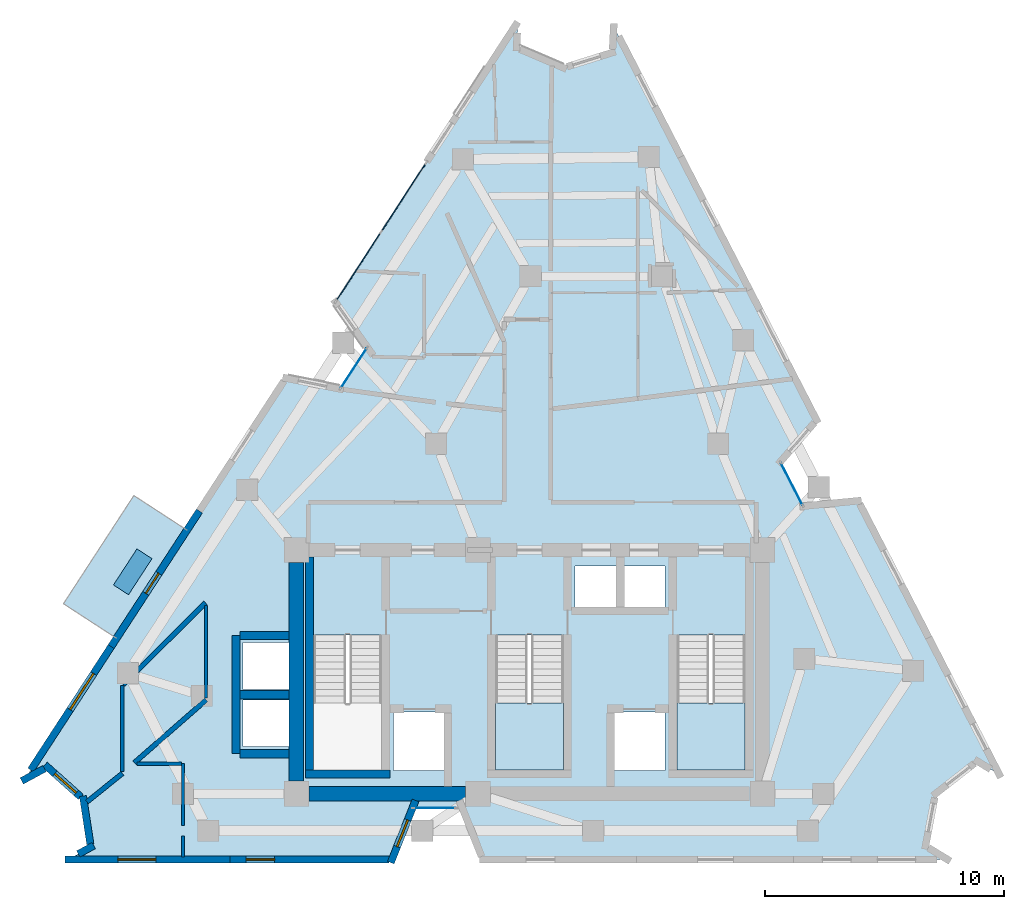
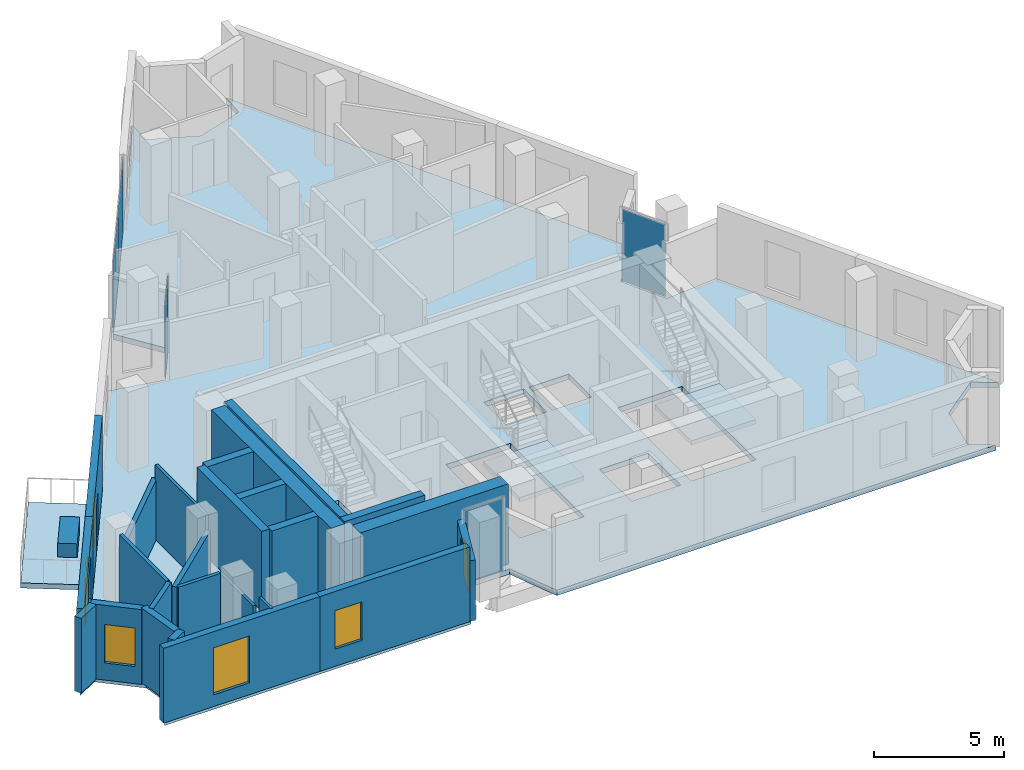
# One storey, part 5 of 11: 25 walls, 6 plates, 5 windows, 4 slabs, 1 door, 6 openings, 6 elements without a shape of their own.
"""IFC4 building model written with IfcOpenShell, lengths in metres."""

from ifc_helpers import new_model, si_unit, direction, frame, frame_2d, origin, origin_2d, place, context, subcontext, project, spatial, polyline, rectangle, outline, extrude, material, layer, layer_set, type_object, element, fill, aggregate, save


model = new_model("IFC4")

# Units and contexts
model_context = context("Model", 3, precision=1e-05, world=origin(), true_north=direction((0.0, 1.0)))
body_context = subcontext(model_context, "Body", "Model", "MODEL_VIEW")
ifc_project = project(units=[si_unit("LENGTHUNIT", "METRE"), si_unit("AREAUNIT", "SQUARE_METRE"), si_unit("VOLUMEUNIT", "CUBIC_METRE"), si_unit("PLANEANGLEUNIT", "RADIAN"), si_unit("MASSUNIT", "GRAM", prefix="KILO")], contexts=[model_context])

# Site, building, storey
site_placement = place(None, origin())
site = spatial("IfcSite", under=ifc_project, at=site_placement, CompositionType="ELEMENT")
building_placement = place(site_placement, origin())
building = spatial("IfcBuilding", under=site, at=building_placement, Name="Almagre Mirador Tower", CompositionType="ELEMENT")
storey_placement = place(building_placement, frame((0.0, 0.0, 218.25)))
storey = spatial("IfcBuildingStorey", under=building, at=storey_placement, Name="L56", CompositionType="ELEMENT", Elevation=218.25)

# Curtain wall, plate
ifc_material_1 = material(Name="Black anodized aluminium", Category="aluminium")
ifc_layer_1 = layer(ifc_material_1, 0.169921875)
ifc_layer_set_1 = layer_set([ifc_layer_1], Name="Black anodized aluminium")
curtain_wall_type_1 = type_object("IfcCurtainWallType", Name="CW-CRS-SYS", PredefinedType="NOTDEFINED", material=ifc_layer_set_1)
curtain_wall_1_placement = place(storey_placement, origin())
curtain_wall_1 = element("IfcCurtainWall", 1, at=curtain_wall_1_placement, inside=storey, type_object=curtain_wall_type_1, Name="L56 vertical crease curtain wall 01", PredefinedType="NOTDEFINED")
ifc_material_2 = material(Name="Dark solar-control laminated hurricane glass", Category="glass")
ifc_layer_2 = layer(ifc_material_2, 0.028076171875)
ifc_layer_set_2 = layer_set([ifc_layer_2], Name="Dark solar-control laminated hurricane glass")
plate_type_1 = type_object("IfcPlateType", Name="PLT-GLZ-28", PredefinedType="CURTAIN_PANEL", material=ifc_layer_set_2)
plate_1_placement = place(storey_placement, frame((29.952392578125, 22.362548828125, 0.06005859375), z_axis=(0.0, 0.0, 1.0), x_axis=(0.545946637885, 0.837819949978, 0.0)))
plate_1 = element("IfcPlate", 2, at=plate_1_placement, type_object=plate_type_1, Name="CW-4 panel 1.1", PredefinedType="CURTAIN_PANEL", context=body_context, shape_type="SweptSolid", body=[
    extrude(rectangle(XDim=1.969970703125, YDim=0.028076171875, at=origin_2d()), origin(), (0.0, 0.0, 1.0), 3.3798828125),
])
aggregate(curtain_wall_1, [plate_1])

curtain_wall_2_placement = place(storey_placement, origin())
curtain_wall_2 = element("IfcCurtainWall", 3, at=curtain_wall_2_placement, inside=storey, type_object=curtain_wall_type_1, Name="L56 vertical crease curtain wall 03", PredefinedType="NOTDEFINED")
plate_2_placement = place(storey_placement, frame((48.280029296875, 17.511474609375, 0.06005859375), z_axis=(0.0, 0.0, 1.0), x_axis=(0.458472245436, -0.888708726279, 0.0)))
plate_2 = element("IfcPlate", 4, at=plate_2_placement, type_object=plate_type_1, Name="CW-4 panel 1.1", PredefinedType="CURTAIN_PANEL", context=body_context, shape_type="SweptSolid", body=[
    extrude(rectangle(XDim=1.969482421875, YDim=0.028076171875, at=origin_2d()), origin(), (0.0, 0.0, 1.0), 3.3798828125),
])
aggregate(curtain_wall_2, [plate_2])

curtain_wall_3_placement = place(storey_placement, origin())
curtain_wall_3 = element("IfcCurtainWall", 5, at=curtain_wall_3_placement, inside=storey, type_object=curtain_wall_type_1, Name="L56 vertical crease curtain wall 04", PredefinedType="NOTDEFINED")
plate_3_placement = place(storey_placement, frame((33.337890625, 3.949951171875, 0.06005859375), z_axis=(0.0, 0.0, 1.0), x_axis=(-1.0, 0.0, 0.0)))
plate_3 = element("IfcPlate", 6, at=plate_3_placement, type_object=plate_type_1, Name="CW-4 panel 1.1", PredefinedType="CURTAIN_PANEL", context=body_context, shape_type="SweptSolid", body=[
    extrude(rectangle(XDim=1.73388671875, YDim=0.028076171875, at=origin_2d()), origin(), (0.0, 0.0, 1.0), 3.3798828125),
])
aggregate(curtain_wall_3, [plate_3])

# Curtain wall, plates
ifc_material_3 = material(Name="Black anodized aluminium", Category="aluminium")
ifc_layer_3 = layer(ifc_material_3, 0.199951171875)
ifc_layer_set_3 = layer_set([ifc_layer_3], Name="Black anodized aluminium")
curtain_wall_type_2 = type_object("IfcCurtainWallType", Name="CW-RES-H-SYS", PredefinedType="NOTDEFINED", material=ifc_layer_set_3)
curtain_wall_4_placement = place(storey_placement, origin())
curtain_wall_4 = element("IfcCurtainWall", 7, at=curtain_wall_4_placement, inside=storey, type_object=curtain_wall_type_2, Name="L56 curtain wall run 02", PredefinedType="NOTDEFINED")
ifc_material_4 = material(Name="Dark solar-control laminated hurricane glass", Category="glass")
ifc_layer_4 = layer(ifc_material_4, 0.035888671875)
ifc_layer_set_4 = layer_set([ifc_layer_4], Name="Dark solar-control laminated hurricane glass")
plate_type_2 = type_object("IfcPlateType", Name="PLT-GLZ-36", PredefinedType="CURTAIN_PANEL", material=ifc_layer_set_4)
plate_4_placement = place(storey_placement, frame((30.149658203125, 26.606689453125, 0.06494140625), z_axis=(0.0, 0.0, 1.0), x_axis=(0.54564164225, 0.838018614497, 0.0)))
plate_4 = element("IfcPlate", 8, at=plate_4_placement, type_object=plate_type_2, Name="CW-3 panel 1.1", PredefinedType="CURTAIN_PANEL", context=body_context, shape_type="SweptSolid", body=[
    extrude(rectangle(XDim=3.39892578125, YDim=0.035888671875, at=origin_2d()), origin(), (0.0, 0.0, 1.0), 3.3701171875),
])
plate_5_placement = place(storey_placement, frame((32.039794921875, 29.50927734375, 0.06494140625), z_axis=(0.0, 0.0, 1.0), x_axis=(0.54564164225, 0.838018614497, 0.0)))
plate_5 = element("IfcPlate", 9, at=plate_5_placement, type_object=plate_type_2, Name="CW-3 panel 2.1", PredefinedType="CURTAIN_PANEL", context=body_context, shape_type="SweptSolid", body=[
    extrude(rectangle(XDim=3.39892578125, YDim=0.035888671875, at=origin_2d()), origin(), (0.0, 0.0, 1.0), 3.3701171875),
])
aggregate(curtain_wall_4, [plate_4, plate_5])

# Plate
ifc_material_5 = material(Name="Precast concrete C50/60", Category="concrete")
ifc_layer_5 = layer(ifc_material_5, 0.64990234375)
ifc_layer_set_5 = layer_set([ifc_layer_5], Name="Precast concrete C50/60")
plate_type_3 = type_object("IfcPlateType", Name="PLT-PLANTER-1800", PredefinedType="USERDEFINED", material=ifc_layer_set_5)
plate_6_placement = place(storey_placement, frame((20.7041015625, 13.837890625, 0.0), z_axis=(0.0, 0.0, 1.0), x_axis=(-0.545604752598, -0.838042632532, 0.0)))
element("IfcPlate", 10, at=plate_6_placement, inside=storey, type_object=plate_type_3, Name="L56 west balcony structural tree planter 1", ObjectType="PLANTER", PredefinedType="USERDEFINED", context=body_context, shape_type="SweptSolid", body=[
    extrude(rectangle(XDim=1.800048828125, YDim=0.75, at=origin_2d()), origin(), (0.0, 0.0, 1.0), 0.64990234375),
])

# Slabs
ifc_material_6 = material(Name="Concrete C45/55", Category="concrete")
ifc_layer_6 = layer(ifc_material_6, 0.239990234375)
ifc_layer_set_6 = layer_set([ifc_layer_6], Name="Concrete C45/55")
slab_type_1 = type_object("IfcSlabType", Name="SLB-BAL-240", PredefinedType="USERDEFINED", material=ifc_layer_set_6)
slab_1_placement = place(storey_placement, frame((0.0, 0.0, -0.239990234375)))
element("IfcSlab", 11, at=slab_1_placement, inside=storey, type_object=slab_type_1, Name="L56 west planted tree balcony 1", ObjectType="BALCONY", PredefinedType="USERDEFINED", context=body_context, shape_type="SweptSolid", body=[
    extrude(outline(polyline([(22.989990234375, 15.572021484375), (20.0439453125, 11.0458984375), (17.805908203125, 12.5029296875), (20.751953125, 17.029052734375), (22.989990234375, 15.572021484375)])), origin(), (0.0, 0.0, 1.0), 0.239990234375),
])
ifc_material_7 = material(Name="Concrete C45/55", Category="concrete")
ifc_layer_7 = layer(ifc_material_7, 0.25)
ifc_layer_set_7 = layer_set([ifc_layer_7], Name="Concrete C45/55")
slab_type_2 = type_object("IfcSlabType", Name="SLB-FLR-250", PredefinedType="FLOOR", material=ifc_layer_set_7)
slab_2_placement = place(storey_placement, frame((0.0, 0.0, -0.25)))
element("IfcSlab", 12, at=slab_2_placement, inside=storey, type_object=slab_type_2, Name="L56 structural floor slab", PredefinedType="FLOOR", context=body_context, shape_type="SweptSolid", body=[
    extrude(outline(polyline([(16.181884765625, 5.152099609375), (17.132080078125, 5.6669921875), (18.64208984375, 4.31689453125), (18.948974609375, 2.31494140625), (18.0, 1.800048828125), (31.555908203125, 1.800048828125), (32.410888671875, 3.949951171875), (34.5009765625, 3.949951171875), (35.35595703125, 1.800048828125), (54.800048828125, 1.800048828125), (53.8779296875, 2.362060546875), (54.291015625, 4.548095703125), (56.044921875, 5.9169921875), (56.967041015625, 5.35498046875), (51.06103515625, 16.80810546875), (48.759033203125, 16.5830078125), (47.801025390625, 18.43994140625), (49.320068359375, 20.18603515625), (40.8330078125, 36.64501953125), (40.779052734375, 35.56591796875), (38.73291015625, 34.927001953125), (36.762939453125, 35.76904296875), (36.818115234375, 36.847900390625), (29.18701171875, 25.1279296875), (30.52294921875, 23.238037109375), (29.382080078125, 21.487060546875), (27.114013671875, 21.943115234375), (16.181884765625, 5.152099609375)]), holes=[polyline([(43.47509765625, 5.550048828125), (43.47509765625, 11.196044921875), (46.324951171875, 11.196044921875), (46.324951171875, 5.550048828125), (43.47509765625, 5.550048828125)]), polyline([(41.219970703125, 12.320068359375), (41.219970703125, 14.080078125), (42.97998046875, 14.080078125), (42.97998046875, 12.320068359375), (41.219970703125, 12.320068359375)]), polyline([(42.97998046875, 5.52001953125), (40.820068359375, 5.52001953125), (40.820068359375, 7.97998046875), (42.97998046875, 7.97998046875), (42.97998046875, 5.52001953125)]), polyline([(39.219970703125, 12.320068359375), (39.219970703125, 14.080078125), (40.97998046875, 14.080078125), (40.97998046875, 12.320068359375), (39.219970703125, 12.320068359375)]), polyline([(35.875, 5.550048828125), (35.875, 11.196044921875), (38.72509765625, 11.196044921875), (38.72509765625, 5.550048828125), (35.875, 5.550048828125)]), polyline([(33.780029296875, 5.52001953125), (31.6201171875, 5.52001953125), (31.6201171875, 7.97998046875), (33.780029296875, 7.97998046875), (33.780029296875, 5.52001953125)]), polyline([(28.27490234375, 5.550048828125), (28.27490234375, 11.196044921875), (31.125, 11.196044921875), (31.125, 5.550048828125), (28.27490234375, 5.550048828125)]), polyline([(27.3798828125, 6.52001953125), (25.320068359375, 6.52001953125), (25.320068359375, 8.47998046875), (27.3798828125, 8.47998046875), (27.3798828125, 6.52001953125)]), polyline([(27.3798828125, 8.919921875), (25.320068359375, 8.919921875), (25.320068359375, 10.8798828125), (27.3798828125, 10.8798828125), (27.3798828125, 8.919921875)])]), origin(), (0.0, 0.0, 1.0), 0.25),
])

# Stair, slab
ifc_material_8 = material(Name="Concrete C45/55", Category="concrete")
stair_type = type_object("IfcStairType", Name="STR-DL-3750", PredefinedType="HALF_TURN_STAIR", material=ifc_material_8)
stair_1_placement = place(storey_placement, origin())
stair_1 = element("IfcStair", 13, at=stair_1_placement, inside=storey, type_object=stair_type, Name="L56 Protected exit stair ST-2", PredefinedType="HALF_TURN_STAIR")
ifc_material_9 = material(Name="Concrete C45/55", Category="concrete")
ifc_layer_8 = layer(ifc_material_9, 0.199951171875)
ifc_layer_set_8 = layer_set([ifc_layer_8], Name="Concrete C45/55")
slab_type_3 = type_object("IfcSlabType", Name="SLB-LND-200", PredefinedType="LANDING", material=ifc_layer_set_8)
slab_3_placement = place(storey_placement, frame((0.0, 0.0, 1.675048828125)))
slab_3 = element("IfcSlab", 14, at=slab_3_placement, type_object=slab_type_3, Name="ST-2 landing 1", PredefinedType="LANDING", context=body_context, shape_type="SweptSolid", body=[
    extrude(outline(polyline([(35.875, 8.35009765625), (35.875, 5.550048828125), (38.72509765625, 5.550048828125), (38.72509765625, 8.35009765625), (35.875, 8.35009765625)])), origin(), (0.0, 0.0, 1.0), 0.199951171875),
])
aggregate(stair_1, [slab_3])

stair_2_placement = place(storey_placement, origin())
stair_2 = element("IfcStair", 15, at=stair_2_placement, inside=storey, type_object=stair_type, Name="L56 Protected exit stair ST-3", PredefinedType="HALF_TURN_STAIR")
slab_4_placement = place(storey_placement, frame((0.0, 0.0, 1.675048828125)))
slab_4 = element("IfcSlab", 16, at=slab_4_placement, type_object=slab_type_3, Name="ST-3 landing 1", PredefinedType="LANDING", context=body_context, shape_type="SweptSolid", body=[
    extrude(outline(polyline([(43.47509765625, 8.35009765625), (43.47509765625, 5.550048828125), (46.324951171875, 5.550048828125), (46.324951171875, 8.35009765625), (43.47509765625, 8.35009765625)])), origin(), (0.0, 0.0, 1.0), 0.199951171875),
])
aggregate(stair_2, [slab_4])

# Wall, opening, window
ifc_material_10 = material(Name="Precast concrete C50/60", Category="concrete")
ifc_layer_9 = layer(ifc_material_10, 0.300048828125)
ifc_layer_set_9 = layer_set([ifc_layer_9], Name="Precast concrete C50/60")
wall_type_1 = type_object("IfcWallType", Name="WAL-EXT-300", PredefinedType="SOLIDWALL", material=ifc_layer_set_9)
wall_1_placement = place(storey_placement, frame((32.53955078125, 4.2734375, 0.0), z_axis=(0.0, 0.0, 1.0), x_axis=(-0.369466825356, -0.929243921132, 0.0)))
wall_1 = element("IfcWall", 17, at=wall_1_placement, inside=storey, type_object=wall_type_1, Name="L56 expressed almagre precast frame wall 23", PredefinedType="SOLIDWALL", context=body_context, shape_type="SweptSolid", body=[
    extrude(rectangle(XDim=2.8017578125, YDim=0.300048828125, at=frame_2d((1.40087890625, 0.0))), origin(), (0.0, 0.0, 1.0), 2.824951171875),
])
opening_1_placement = place(wall_1_placement, frame((0.883056640625, 0.0, 0.800048828125)))
opening_1 = element("IfcOpeningElement", 18, at=opening_1_placement, cuts=wall_1, Name="Opening WN-04", PredefinedType="OPENING", context=body_context, shape_type="SweptSolid", body=[
    extrude(rectangle(XDim=1.199951171875, YDim=1.800048828125, at=frame_2d((0.60009765625, 0.89990234375))), frame((0.0, 0.159902, 0.0), z_axis=(0.0, -1.0, 0.0), x_axis=(1.0, 0.0, 0.0)), (0.0, 0.0, 1.0), 0.320049),
])
ifc_material_11 = material(Name="Dark solar-control laminated hurricane glass", Category="glass")
window_type_1 = type_object("IfcWindowType", Name="WIN-1200X1800", PartitioningType="SINGLE_PANEL", PredefinedType="WINDOW", material=ifc_material_11)
window_1_placement = place(opening_1_placement, origin())
window_1 = element("IfcWindow", 19, at=window_1_placement, inside=storey, type_object=window_type_1, Name="L56 recessed hurricane window L56-UB-KT", OverallHeight=1.800048828125, OverallWidth=1.199951171875, PartitioningType="SINGLE_PANEL", PredefinedType="WINDOW", context=body_context, shape_type="SweptSolid", body=[
    extrude(rectangle(XDim=1.199951171875, YDim=1.800048828125, at=frame_2d((0.60009765625, 0.89990234375))), frame((0.0, 0.030029296875, 0.0), z_axis=(0.0, -1.0, 0.0), x_axis=(1.0, 0.0, 0.0)), (0.0, 0.0, 1.0), 0.06005859375),
])
fill(opening_1, window_1)

wall_2_placement = place(storey_placement, frame((31.4208984375, 1.800048828125, 0.0), z_axis=(0.0, 0.0, 1.0), x_axis=(-1.0, 0.0, 0.0)))
wall_2 = element("IfcWall", 20, at=wall_2_placement, inside=storey, type_object=wall_type_1, Name="L56 expressed almagre precast frame wall 24", PredefinedType="SOLIDWALL", context=body_context, shape_type="SweptSolid", body=[
    extrude(rectangle(XDim=6.642822265625, YDim=0.300048828125, at=frame_2d((3.3212890625, 0.0))), origin(), (0.0, 0.0, 1.0), 3.5),
])
opening_2_placement = place(wall_2_placement, frame((4.77490234375, 0.0, 0.800048828125)))
opening_2 = element("IfcOpeningElement", 21, at=opening_2_placement, cuts=wall_2, Name="Opening WN-04", PredefinedType="OPENING", context=body_context, shape_type="SweptSolid", body=[
    extrude(rectangle(XDim=1.199951171875, YDim=1.800048828125, at=frame_2d((0.60009765625, 0.89990234375))), frame((0.0, 0.159902, 0.0), z_axis=(0.0, -1.0, 0.0), x_axis=(1.0, 0.0, 0.0)), (0.0, 0.0, 1.0), 0.320049),
])
window_2_placement = place(opening_2_placement, origin())
window_2 = element("IfcWindow", 22, at=window_2_placement, inside=storey, type_object=window_type_1, Name="L56 recessed hurricane window L56-UA-ST", OverallHeight=1.800048828125, OverallWidth=1.199951171875, PartitioningType="SINGLE_PANEL", PredefinedType="WINDOW", context=body_context, shape_type="SweptSolid", body=[
    extrude(rectangle(XDim=1.199951171875, YDim=1.800048828125, at=frame_2d((0.60009765625, 0.89990234375))), frame((0.0, 0.030029296875, 0.0), z_axis=(0.0, -1.0, 0.0), x_axis=(1.0, 0.0, 0.0)), (0.0, 0.0, 1.0), 0.06005859375),
])
fill(opening_2, window_2)

wall_3_placement = place(storey_placement, frame((24.778076171875, 1.800048828125, 0.0), z_axis=(0.0, 0.0, 1.0), x_axis=(-1.0, 0.0, 0.0)))
wall_3 = element("IfcWall", 23, at=wall_3_placement, inside=storey, type_object=wall_type_1, Name="L56 expressed almagre precast frame wall 25", PredefinedType="SOLIDWALL", context=body_context, shape_type="SweptSolid", body=[
    extrude(rectangle(XDim=6.91796875, YDim=0.300048828125, at=frame_2d((3.458984375, 0.0))), origin(), (0.0, 0.0, 1.0), 3.5),
])
opening_3_placement = place(wall_3_placement, frame((3.10009765625, 0.0, 0.550048828125)))
opening_3 = element("IfcOpeningElement", 24, at=opening_3_placement, cuts=wall_3, Name="Opening WN-06", PredefinedType="OPENING", context=body_context, shape_type="SweptSolid", body=[
    extrude(rectangle(XDim=1.60009765625, YDim=2.199951171875, at=frame_2d((0.800048828125, 1.10009765625))), frame((0.0, 0.159902, 0.0), z_axis=(0.0, -1.0, 0.0), x_axis=(1.0, 0.0, 0.0)), (0.0, 0.0, 1.0), 0.320049),
])
ifc_material_12 = material(Name="Dark solar-control laminated hurricane glass", Category="glass")
window_type_2 = type_object("IfcWindowType", Name="WIN-1600X2200", PartitioningType="DOUBLE_PANEL_VERTICAL", PredefinedType="WINDOW", material=ifc_material_12)
window_3_placement = place(opening_3_placement, origin())
window_3 = element("IfcWindow", 25, at=window_3_placement, inside=storey, type_object=window_type_2, Name="L56 recessed hurricane window L56-UA-KT", OverallHeight=2.199951171875, OverallWidth=1.60009765625, PartitioningType="SINGLE_PANEL", PredefinedType="WINDOW", context=body_context, shape_type="SweptSolid", body=[
    extrude(rectangle(XDim=1.60009765625, YDim=2.199951171875, at=frame_2d((0.800048828125, 1.10009765625))), frame((0.0, 0.030029296875, 0.0), z_axis=(0.0, -1.0, 0.0), x_axis=(1.0, 0.0, 0.0)), (0.0, 0.0, 1.0), 0.06005859375),
])
fill(opening_3, window_3)

# Walls
wall_4_placement = place(storey_placement, frame((18.42626953125, 2.03125, 0.0), z_axis=(0.0, 0.0, 1.0), x_axis=(0.878833528688, 0.47712852446, 0.0)))
element("IfcWall", 26, at=wall_4_placement, inside=storey, type_object=wall_type_1, Name="L56 expressed almagre precast frame wall 26", PredefinedType="SOLIDWALL", context=body_context, shape_type="SweptSolid", body=[
    extrude(rectangle(XDim=0.73486328125, YDim=0.300048828125, at=frame_2d((0.367431640625, 0.0))), origin(), (0.0, 0.0, 1.0), 3.5),
])
wall_5_placement = place(storey_placement, frame((18.928466796875, 2.448486328125, 0.0), z_axis=(0.0, 0.0, 1.0), x_axis=(-0.151514993769, 0.98845495935, 0.0)))
element("IfcWall", 27, at=wall_5_placement, inside=storey, type_object=wall_type_1, Name="L56 expressed almagre precast frame wall 27", PredefinedType="SOLIDWALL", context=body_context, shape_type="SweptSolid", body=[
    extrude(rectangle(XDim=2.0302734375, YDim=0.300048828125, at=frame_2d((1.01513671875, 0.0))), origin(), (0.0, 0.0, 1.0), 3.5),
])

# Wall, opening, window
wall_6_placement = place(storey_placement, frame((18.5302734375, 4.4169921875, 0.0), z_axis=(0.0, 0.0, 1.0), x_axis=(-0.745548529149, 0.666451341572, 0.0)))
wall_6 = element("IfcWall", 28, at=wall_6_placement, inside=storey, type_object=wall_type_1, Name="L56 expressed almagre precast frame wall 28", PredefinedType="SOLIDWALL", context=body_context, shape_type="SweptSolid", body=[
    extrude(rectangle(XDim=2.015625, YDim=0.300048828125, at=frame_2d((1.0078125, 0.0))), origin(), (0.0, 0.0, 1.0), 3.5),
])
opening_4_placement = place(wall_6_placement, frame((0.260009765625, 0.0, 0.800048828125)))
opening_4 = element("IfcOpeningElement", 29, at=opening_4_placement, cuts=wall_6, Name="Opening WN-04", PredefinedType="OPENING", context=body_context, shape_type="SweptSolid", body=[
    extrude(rectangle(XDim=1.199951171875, YDim=1.800048828125, at=frame_2d((0.60009765625, 0.89990234375))), frame((0.0, 0.159902, 0.0), z_axis=(0.0, -1.0, 0.0), x_axis=(1.0, 0.0, 0.0)), (0.0, 0.0, 1.0), 0.320049),
])
window_4_placement = place(opening_4_placement, origin())
window_4 = element("IfcWindow", 30, at=window_4_placement, inside=storey, type_object=window_type_1, Name="L56 recessed hurricane window L56-UD-BT", OverallHeight=1.800048828125, OverallWidth=1.199951171875, PartitioningType="SINGLE_PANEL", PredefinedType="WINDOW", context=body_context, shape_type="SweptSolid", body=[
    extrude(rectangle(XDim=1.199951171875, YDim=1.800048828125, at=frame_2d((0.60009765625, 0.89990234375))), frame((0.0, 0.030029296875, 0.0), z_axis=(0.0, -1.0, 0.0), x_axis=(1.0, 0.0, 0.0)), (0.0, 0.0, 1.0), 0.06005859375),
])
fill(opening_4, window_4)

# Wall
wall_7_placement = place(storey_placement, frame((17.01318359375, 5.602783203125, 0.0), z_axis=(0.0, 0.0, 1.0), x_axis=(-0.879044634191, -0.476739479275, 0.0)))
element("IfcWall", 31, at=wall_7_placement, inside=storey, type_object=wall_type_1, Name="L56 expressed almagre precast frame wall 29", PredefinedType="SOLIDWALL", context=body_context, shape_type="SweptSolid", body=[
    extrude(rectangle(XDim=1.085693359375, YDim=0.300048828125, at=frame_2d((0.54296875, 0.0))), origin(), (0.0, 0.0, 1.0), 3.5),
])

# Wall, opening, window
wall_8_placement = place(storey_placement, frame((16.4384765625, 5.5458984375, 0.0), z_axis=(0.0, 0.0, 1.0), x_axis=(0.545606524508, 0.838041478934, 0.0)))
wall_8 = element("IfcWall", 32, at=wall_8_placement, inside=storey, type_object=wall_type_1, Name="L56 expressed almagre precast frame wall 30", PredefinedType="SOLIDWALL", context=body_context, shape_type="SweptSolid", body=[
    extrude(rectangle(XDim=6.162109375, YDim=0.300048828125, at=frame_2d((3.0810546875, 0.0))), origin(), (0.0, 0.0, 1.0), 3.5),
])
opening_5_placement = place(wall_8_placement, frame((3.014892578125, 0.0, 0.60009765625)))
opening_5 = element("IfcOpeningElement", 33, at=opening_5_placement, cuts=wall_8, Name="Opening WN-01", PredefinedType="OPENING", context=body_context, shape_type="SweptSolid", body=[
    extrude(rectangle(XDim=1.800048828125, YDim=2.10009765625, at=frame_2d((0.89990234375, 1.050048828125))), frame((0.0, 0.159902, 0.0), z_axis=(0.0, -1.0, 0.0), x_axis=(1.0, 0.0, 0.0)), (0.0, 0.0, 1.0), 0.320049),
])
ifc_material_13 = material(Name="Dark solar-control laminated hurricane glass", Category="glass")
window_type_3 = type_object("IfcWindowType", Name="WIN-1800X2100", PartitioningType="DOUBLE_PANEL_VERTICAL", PredefinedType="WINDOW", material=ifc_material_13)
window_5_placement = place(opening_5_placement, origin())
window_5 = element("IfcWindow", 34, at=window_5_placement, inside=storey, type_object=window_type_3, Name="L56 recessed hurricane window L56-RST-E", OverallHeight=2.10009765625, OverallWidth=1.800048828125, PartitioningType="SINGLE_PANEL", PredefinedType="WINDOW", context=body_context, shape_type="SweptSolid", body=[
    extrude(rectangle(XDim=1.800048828125, YDim=2.10009765625, at=frame_2d((0.89990234375, 1.050048828125))), frame((0.0, 0.030029296875, 0.0), z_axis=(0.0, -1.0, 0.0), x_axis=(1.0, 0.0, 0.0)), (0.0, 0.0, 1.0), 0.06005859375),
])
fill(opening_5, window_5)

# Wall, opening, door
wall_9_placement = place(storey_placement, frame((19.800537109375, 10.7099609375, 0.0), z_axis=(0.0, 0.0, 1.0), x_axis=(0.545640788954, 0.838019170085, 0.0)))
wall_9 = element("IfcWall", 35, at=wall_9_placement, inside=storey, type_object=wall_type_1, Name="L56 expressed almagre precast frame wall 31", PredefinedType="SOLIDWALL", context=body_context, shape_type="SweptSolid", body=[
    extrude(rectangle(XDim=6.77197265625, YDim=0.300048828125, at=frame_2d((3.385986328125, 0.0))), origin(), (0.0, 0.0, 1.0), 3.5),
])
opening_6_placement = place(wall_9_placement, frame((2.657470703125, 0.0, 0.0)))
opening_6 = element("IfcOpeningElement", 36, at=opening_6_placement, cuts=wall_9, Name="Opening BD-01", PredefinedType="OPENING", context=body_context, shape_type="SweptSolid", body=[
    extrude(rectangle(XDim=1.0, YDim=2.199951171875, at=frame_2d((0.5, 1.10009765625))), frame((0.0, 0.159902, 0.0), z_axis=(0.0, -1.0, 0.0), x_axis=(1.0, 0.0, 0.0)), (0.0, 0.0, 1.0), 0.320049),
])
ifc_material_14 = material(Name="Black anodized aluminium and laminated glass", Category="aluminium")
door_type = type_object("IfcDoorType", Name="DOR-BAL-1000X2200", OperationType="NOTDEFINED", PredefinedType="DOOR", material=ifc_material_14)
door_placement = place(opening_6_placement, origin())
door = element("IfcDoor", 37, at=door_placement, inside=storey, type_object=door_type, Name="DR-1727 L56 west balcony glazed door 1", OperationType="SINGLE_SWING_LEFT", OverallHeight=2.199951171875, OverallWidth=1.0, PredefinedType="DOOR", context=body_context, shape_type="SweptSolid", body=[
    extrude(rectangle(XDim=1.0, YDim=2.199951171875, at=frame_2d((0.5, 1.10009765625))), frame((0.0, 0.02490234375, 0.0), z_axis=(0.0, -1.0, 0.0), x_axis=(1.0, 0.0, 0.0)), (0.0, 0.0, 1.0), 0.050048828125),
])
fill(opening_6, door)

# Walls
ifc_material_15 = material(Name="Gypsum acoustic stud partition", Category="other")
ifc_layer_10 = layer(ifc_material_15, 0.125)
ifc_layer_set_10 = layer_set([ifc_layer_10], Name="Gypsum acoustic stud partition")
wall_type_2 = type_object("IfcWallType", Name="WAL-PRT-125-UTL", PredefinedType="PARTITIONING", material=ifc_layer_set_10)
wall_10_placement = place(storey_placement, frame((22.800048828125, 2.780029296875, 0.0), z_axis=(0.0, 0.0, 1.0), x_axis=(0.0, -1.0, 0.0)))
element("IfcWall", 38, at=wall_10_placement, inside=storey, type_object=wall_type_2, Name="L56 interior partition 012", PredefinedType="PARTITIONING", context=body_context, shape_type="SweptSolid", body=[
    extrude(rectangle(XDim=0.880126953125, YDim=0.125, at=frame_2d((0.43994140625, 0.0))), origin(), (0.0, 0.0, 1.0), 3.5),
])
wall_11_placement = place(storey_placement, frame((22.800048828125, 5.81005859375, 0.0), z_axis=(0.0, 0.0, 1.0), x_axis=(0.0, -1.0, 0.0)))
element("IfcWall", 39, at=wall_11_placement, inside=storey, type_object=wall_type_2, Name="L56 interior partition 013", PredefinedType="PARTITIONING", context=body_context, shape_type="SweptSolid", body=[
    extrude(rectangle(XDim=2.590087890625, YDim=0.125, at=frame_2d((1.294921875, 0.0))), origin(), (0.0, 0.0, 1.0), 2.820068359375),
])
wall_12_placement = place(storey_placement, frame((23.780029296875, 12.425048828125, 0.0), z_axis=(0.0, 0.0, 1.0), x_axis=(0.0, -1.0, 0.0)))
element("IfcWall", 40, at=wall_12_placement, inside=storey, type_object=wall_type_2, Name="L56 interior partition 028", PredefinedType="PARTITIONING", context=body_context, shape_type="SweptSolid", body=[
    extrude(rectangle(XDim=3.860107421875, YDim=0.125, at=frame_2d((1.93017578125, 0.0))), origin(), (0.0, 0.0, 1.0), 3.5),
])
ifc_material_16 = material(Name="Gypsum acoustic stud partition", Category="other")
ifc_layer_11 = layer(ifc_material_16, 0.14990234375)
ifc_layer_set_11 = layer_set([ifc_layer_11], Name="Gypsum acoustic stud partition")
wall_type_3 = type_object("IfcWallType", Name="WAL-PRT-150-STD", PredefinedType="PARTITIONING", material=ifc_layer_set_11)
wall_13_placement = place(storey_placement, frame((22.75244140625, 5.81005859375, 0.0), z_axis=(0.0, 0.0, 1.0), x_axis=(-1.0, 0.0, 0.0)))
element("IfcWall", 41, at=wall_13_placement, inside=storey, type_object=wall_type_3, Name="L56 interior partition 015", PredefinedType="PARTITIONING", context=body_context, shape_type="SweptSolid", body=[
    extrude(rectangle(XDim=1.87255859375, YDim=0.14990234375, at=frame_2d((0.936279296875, 0.0))), origin(), (0.0, 0.0, 1.0), 2.820068359375),
])
wall_14_placement = place(storey_placement, frame((20.27001953125, 9.080078125, 0.0), z_axis=(0.0, 0.0, 1.0), x_axis=(0.0, -1.0, 0.0)))
element("IfcWall", 42, at=wall_14_placement, inside=storey, type_object=wall_type_3, Name="L56 interior partition 032", PredefinedType="PARTITIONING", context=body_context, shape_type="SweptSolid", body=[
    extrude(rectangle(XDim=3.594970703125, YDim=0.14990234375, at=frame_2d((1.79736328125, 0.0))), origin(), (0.0, 0.0, 1.0), 3.5),
])
ifc_material_17 = material(Name="Gypsum acoustic stud partition", Category="other")
ifc_layer_12 = layer(ifc_material_17, 0.199951171875)
ifc_layer_set_12 = layer_set([ifc_layer_12], Name="Gypsum acoustic stud partition")
wall_type_4 = type_object("IfcWallType", Name="WAL-PRT-200-EI60", PredefinedType="PARTITIONING", material=ifc_layer_set_12)
wall_15_placement = place(storey_placement, frame((20.27001953125, 5.39990234375, 0.0), z_axis=(0.0, 0.0, 1.0), x_axis=(-0.779336278345, -0.626605909049, 0.0)))
element("IfcWall", 43, at=wall_15_placement, inside=storey, type_object=wall_type_4, Name="L56 interior partition 017", PredefinedType="PARTITIONING", context=body_context, shape_type="SweptSolid", body=[
    extrude(rectangle(XDim=1.89892578125, YDim=0.199951171875, at=frame_2d((0.949462890625, 0.0))), origin(), (0.0, 0.0, 1.0), 3.5),
])
wall_16_placement = place(storey_placement, frame((23.780029296875, 8.47998046875, 0.0), z_axis=(0.0, 0.0, 1.0), x_axis=(-0.752440343791, -0.65866040494, 0.0)))
element("IfcWall", 44, at=wall_16_placement, inside=storey, type_object=wall_type_4, Name="L56 interior partition 019", PredefinedType="PARTITIONING", context=body_context, shape_type="SweptSolid", body=[
    extrude(rectangle(XDim=3.993408203125, YDim=0.199951171875, at=frame_2d((1.99658203125, 0.0))), origin(), (0.0, 0.0, 1.0), 2.820068359375),
])
wall_17_placement = place(storey_placement, frame((23.746337890625, 12.53662109375, 0.0), z_axis=(0.0, 0.0, 1.0), x_axis=(-0.709120600964, -0.705087209704, 0.0)))
element("IfcWall", 45, at=wall_17_placement, inside=storey, type_object=wall_type_4, Name="L56 interior partition 033", PredefinedType="PARTITIONING", context=body_context, shape_type="SweptSolid", body=[
    extrude(rectangle(XDim=4.84228515625, YDim=0.199951171875, at=frame_2d((2.421142578125, 0.0))), origin(), (0.0, 0.0, 1.0), 2.820068359375),
])
ifc_material_18 = material(Name="Concrete C60/75", Category="concrete")
ifc_layer_13 = layer(ifc_material_18, 0.35009765625)
ifc_layer_set_13 = layer_set([ifc_layer_13], Name="Concrete C60/75")
wall_type_5 = type_object("IfcWallType", Name="WAL-SHF-350", PredefinedType="SOLIDWALL", material=ifc_layer_set_13)
wall_18_placement = place(storey_placement, frame((28.10009765625, 5.199951171875, 0.0), z_axis=(0.0, 0.0, 1.0), x_axis=(0.0, 1.0, 0.0)))
element("IfcWall", 46, at=wall_18_placement, inside=storey, type_object=wall_type_5, Name="L56 shaft wall ST1-W", PredefinedType="SOLIDWALL", context=body_context, shape_type="SweptSolid", body=[
    extrude(rectangle(XDim=9.25, YDim=0.35009765625, at=frame_2d((4.625, 0.0))), origin(), (0.0, 0.0, 1.0), 3.75),
])
wall_19_placement = place(storey_placement, frame((27.925048828125, 5.375, 0.0), z_axis=(0.0, 0.0, 1.0), x_axis=(1.0, 0.0, 0.0)))
element("IfcWall", 47, at=wall_19_placement, inside=storey, type_object=wall_type_5, Name="L56 shaft wall ST1-S", PredefinedType="SOLIDWALL", context=body_context, shape_type="SweptSolid", body=[
    extrude(rectangle(XDim=3.550048828125, YDim=0.35009765625, at=frame_2d((1.77490234375, 0.0))), origin(), (0.0, 0.0, 1.0), 3.75),
])
wall_20_placement = place(storey_placement, frame((25.02490234375, 6.22509765625, 0.0), z_axis=(0.0, 0.0, 1.0), x_axis=(0.0, 1.0, 0.0)))
element("IfcWall", 48, at=wall_20_placement, inside=storey, type_object=wall_type_5, Name="L56 shaft wall OL-W", PredefinedType="SOLIDWALL", context=body_context, shape_type="SweptSolid", body=[
    extrude(rectangle(XDim=4.949951171875, YDim=0.35009765625, at=frame_2d((2.47509765625, 0.0))), origin(), (0.0, 0.0, 1.0), 3.75),
])
for number, where, z_axis, x_axis, name in (
    (49, (25.199951171875, 6.22509765625, 0.0), (0.0, 0.0, 1.0), (1.0, 0.0, 0.0), "L56 shaft wall OL-S"),
    (50, (25.199951171875, 8.699951171875, 0.0), (0.0, 0.0, 1.0), (1.0, 0.0, 0.0), "L56 shaft wall OL-M"),
    (51, (25.199951171875, 11.175048828125, 0.0), (0.0, 0.0, 1.0), (1.0, 0.0, 0.0), "L56 shaft wall OL-N"),
):
    element("IfcWall", number, at=place(storey_placement, frame(where, z_axis=z_axis, x_axis=x_axis)), inside=storey, type_object=wall_type_5, Name=name, PredefinedType="SOLIDWALL", context=body_context, shape_type="SweptSolid", body=[
        extrude(rectangle(XDim=2.050048828125, YDim=0.35009765625, at=frame_2d((1.02490234375, 0.0))), origin(), (0.0, 0.0, 1.0), 3.75),
    ])
ifc_material_19 = material(Name="Concrete C60/75", Category="concrete")
ifc_layer_14 = layer(ifc_material_19, 0.60009765625)
ifc_layer_set_14 = layer_set([ifc_layer_14], Name="Concrete C60/75")
wall_type_6 = type_object("IfcWallType", Name="WAL-SHR-600", PredefinedType="SHEAR", material=ifc_layer_set_14)
wall_21_placement = place(storey_placement, frame((28.074951171875, 4.550048828125, 0.0), z_axis=(0.0, 0.0, 1.0), x_axis=(1.0, 0.0, 0.0)))
element("IfcWall", 52, at=wall_21_placement, inside=storey, type_object=wall_type_6, Name="L56 core shear wall S1", PredefinedType="SHEAR", context=body_context, shape_type="SweptSolid", body=[
    extrude(rectangle(XDim=6.550048828125, YDim=0.60009765625, at=frame_2d((3.27490234375, 0.0))), origin(), (0.0, 0.0, 1.0), 3.75),
])
wall_22_placement = place(storey_placement, frame((27.550048828125, 5.074951171875, 0.0), z_axis=(0.0, 0.0, 1.0), x_axis=(0.0, 1.0, 0.0)))
element("IfcWall", 53, at=wall_22_placement, inside=storey, type_object=wall_type_6, Name="L56 core shear wall W1", PredefinedType="SHEAR", context=body_context, shape_type="SweptSolid", body=[
    extrude(rectangle(XDim=9.150146484375, YDim=0.60009765625, at=frame_2d((4.5751953125, 0.0))), origin(), (0.0, 0.0, 1.0), 3.75),
])

save(model, "model.ifc")
